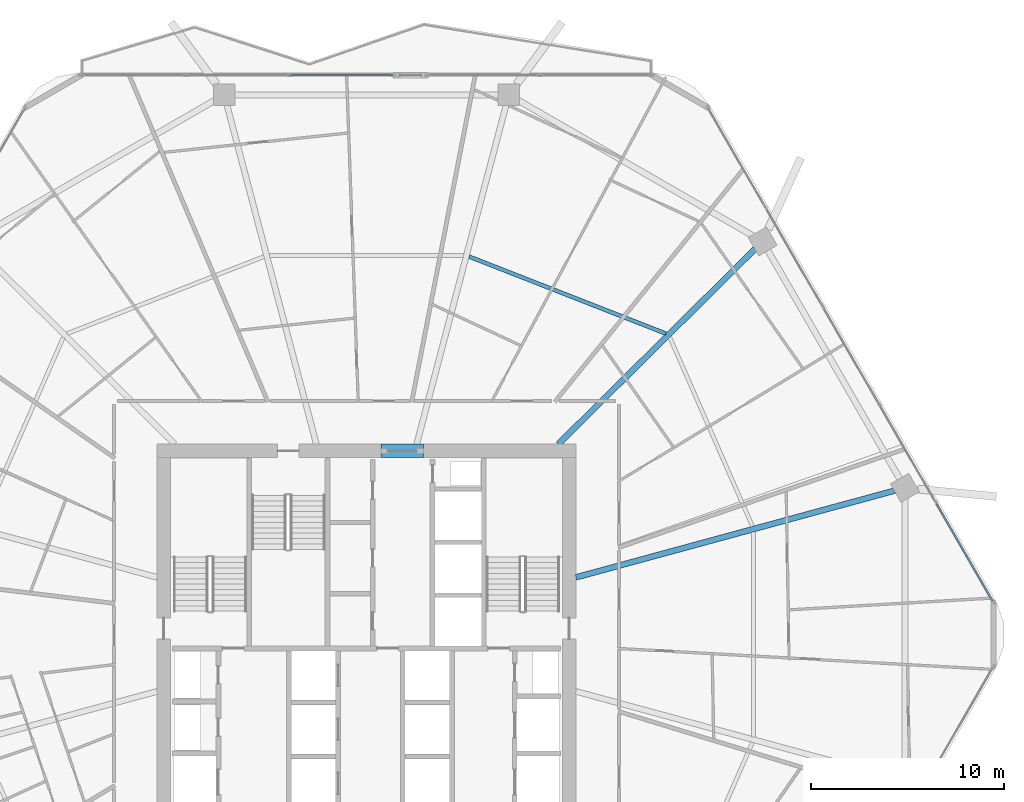
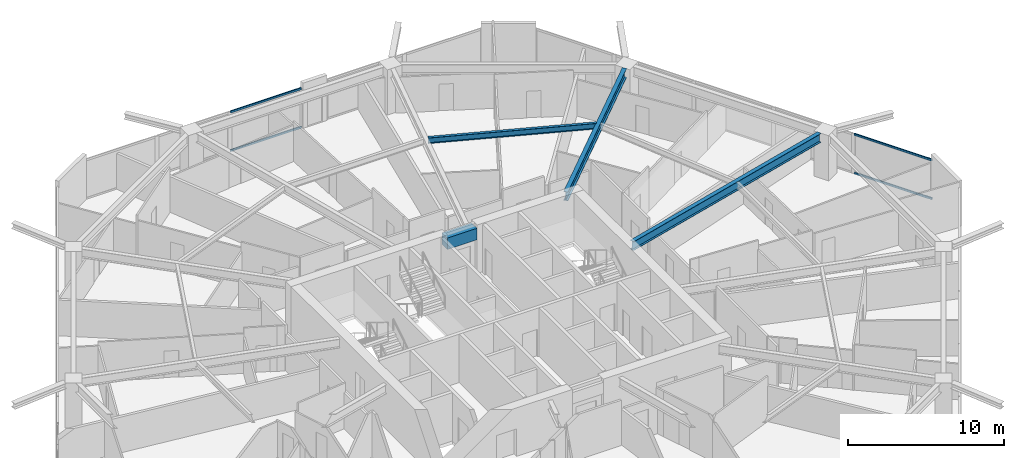
# One storey, part 17 of 33: 4 beams, 4 members, 2 elements without a shape of their own.
"""IFC4 building model written with IfcOpenShell, lengths in metres."""

from ifc_helpers import new_model, si_unit, direction, frame, origin, origin_2d, place, context, subcontext, project, spatial, rectangle, hollow_rectangle, i_section, extrude, material, material_profile, profile_set, type_object, element, aggregate, save


model = new_model("IFC4")

# Units and contexts
model_context = context("Model", 3, precision=1e-05, world=origin(), true_north=direction((0.0, 1.0)))
body_context = subcontext(model_context, "Body", "Model", "MODEL_VIEW")
ifc_project = project(units=[si_unit("LENGTHUNIT", "METRE"), si_unit("AREAUNIT", "SQUARE_METRE"), si_unit("VOLUMEUNIT", "CUBIC_METRE"), si_unit("PLANEANGLEUNIT", "RADIAN"), si_unit("MASSUNIT", "GRAM", prefix="KILO")], contexts=[model_context])

# Site, building, storey
site_placement = place(None, origin())
site = spatial("IfcSite", under=ifc_project, at=site_placement, CompositionType="ELEMENT")
building_placement = place(site_placement, origin())
building = spatial("IfcBuilding", under=site, at=building_placement, Name="Zuhravey Tower", CompositionType="ELEMENT")
storey_placement = place(building_placement, frame((0.0, 0.0, 103.800048828125)))
storey = spatial("IfcBuildingStorey", under=building, at=storey_placement, Name="L25", CompositionType="ELEMENT", Elevation=103.800048828125)

# Beam
ifc_material_1 = material(Name="Concrete C60/75", Category="concrete")
ifc_material_profile_1 = material_profile(ifc_material_1, rectangle(XDim=0.699951171875, YDim=0.89990234375, at=origin_2d()), Name="RC-700x900")
ifc_profile_set_1 = profile_set([ifc_material_profile_1], Name="Concrete C60/75")
beam_type_1 = type_object("IfcBeamType", Name="Core Coupling Beam RC700x900", PredefinedType="LINTEL", material=ifc_profile_set_1)
beam_1_placement = place(storey_placement, frame((36.751953125, 41.5, 3.099853515625), z_axis=(1.0, 0.0, 0.0), x_axis=(0.0, 1.0, 0.0)))
element("IfcBeam", 1, at=beam_1_placement, inside=storey, type_object=beam_type_1, Name="L25 CB1 BM-L25-CB-N", PredefinedType="LINTEL", context=body_context, shape_type="SweptSolid", body=[
    extrude(rectangle(XDim=0.699951171875, YDim=0.89990234375, at=origin_2d()), origin(), (0.0, 0.0, 1.0), 2.196044921875),
])

# Curtain wall, members
ifc_material_2 = material(Name="Thermally broken anodised aluminium", Category="aluminium")
curtain_wall_type = type_object("IfcCurtainWallType", Name="Zone 1-2 Residential Curtain Wall CW3", PredefinedType="NOTDEFINED", material=ifc_material_2)
curtain_wall_1_placement = place(storey_placement, origin())
curtain_wall_1 = element("IfcCurtainWall", 2, at=curtain_wall_1_placement, inside=storey, type_object=curtain_wall_type, Name="L25 CW3 CW-L25-F2-1", PredefinedType="NOTDEFINED")
ifc_material_3 = material(Name="Anodised aluminium", Category="aluminium")
ifc_material_profile_2 = material_profile(ifc_material_3, hollow_rectangle(XDim=0.090087890625, YDim=0.14990234375, WallThickness=0.0048828125, at=origin_2d()), Name="ALU-RHS-90x150x5")
ifc_profile_set_2 = profile_set([ifc_material_profile_2], Name="Anodised aluminium")
member_type = type_object("IfcMemberType", Name="Curtain-Wall Transom 90x150", PredefinedType="USERDEFINED", material=ifc_profile_set_2)
member_1_placement = place(storey_placement, frame((32.0625, 60.95849609375, 0.044921875), z_axis=(1.0, 0.0, 0.0), x_axis=(0.0, 1.0, 0.0)))
member_1 = element("IfcMember", 3, at=member_1_placement, type_object=member_type, Name="CW3 transom 3.1", ObjectType="TRANSOM", PredefinedType="USERDEFINED", context=body_context, shape_type="SweptSolid", body=[
    extrude(hollow_rectangle(XDim=0.090087890625, YDim=0.14990234375, WallThickness=0.0048828125, at=origin_2d()), origin(), (0.0, 0.0, 1.0), 5.2734375),
])
member_2_placement = place(storey_placement, frame((32.0625, 60.95849609375, 3.076904296875), z_axis=(1.0, 0.0, 0.0), x_axis=(0.0, 1.0, 0.0)))
member_2 = element("IfcMember", 4, at=member_2_placement, type_object=member_type, Name="CW3 transom 3.2", ObjectType="TRANSOM", PredefinedType="USERDEFINED", context=body_context, shape_type="SweptSolid", body=[
    extrude(hollow_rectangle(XDim=0.090087890625, YDim=0.14990234375, WallThickness=0.0048828125, at=origin_2d()), origin(), (0.0, 0.0, 1.0), 5.2734375),
])
aggregate(curtain_wall_1, [member_1, member_2])

curtain_wall_2_placement = place(storey_placement, origin())
curtain_wall_2 = element("IfcCurtainWall", 5, at=curtain_wall_2_placement, inside=storey, type_object=curtain_wall_type, Name="L25 CW3 CW-L25-F1-1", PredefinedType="NOTDEFINED")
member_3_placement = place(storey_placement, frame((65.541015625, 38.750244140625, 0.044921875), z_axis=(0.500024450573, -0.866011286779, 0.0), x_axis=(0.866011286779, 0.500024450573, 0.0)))
member_3 = element("IfcMember", 6, at=member_3_placement, type_object=member_type, Name="CW3 transom 5.1", ObjectType="TRANSOM", PredefinedType="USERDEFINED", context=body_context, shape_type="SweptSolid", body=[
    extrude(hollow_rectangle(XDim=0.090087890625, YDim=0.14990234375, WallThickness=0.0048828125, at=origin_2d()), origin(), (0.0, 0.0, 1.0), 5.784912109375),
])
member_4_placement = place(storey_placement, frame((65.541015625, 38.750244140625, 3.076904296875), z_axis=(0.500024450573, -0.866011286779, 0.0), x_axis=(0.866011286779, 0.500024450573, 0.0)))
member_4 = element("IfcMember", 7, at=member_4_placement, type_object=member_type, Name="CW3 transom 5.2", ObjectType="TRANSOM", PredefinedType="USERDEFINED", context=body_context, shape_type="SweptSolid", body=[
    extrude(hollow_rectangle(XDim=0.090087890625, YDim=0.14990234375, WallThickness=0.0048828125, at=origin_2d()), origin(), (0.0, 0.0, 1.0), 5.784912109375),
])
aggregate(curtain_wall_2, [member_3, member_4])

# Beams
ifc_material_4 = material(Name="Steel SM355", Category="steel")
ifc_material_profile_3 = material_profile(ifc_material_4, i_section(OverallWidth=0.300048828125, OverallDepth=0.699951171875, WebThickness=0.012939453125, FlangeThickness=0.02392578125, at=origin_2d()), Name="H-700x300x13x24")
ifc_profile_set_3 = profile_set([ifc_material_profile_3], Name="Steel SM355")
beam_type_2 = type_object("IfcBeamType", Name="Radial Primary Girder H700x300", PredefinedType="BEAM", material=ifc_profile_set_3)
beam_2_placement = place(storey_placement, frame((46.85302734375, 34.954345703125, 3.199951171875), z_axis=(0.964893166225, 0.262642680791, 0.0), x_axis=(-0.262642680791, 0.964893166225, 0.0)))
element("IfcBeam", 8, at=beam_2_placement, inside=storey, type_object=beam_type_2, Name="L25 RG1 BM-L25-RAD-01", PredefinedType="BEAM", context=body_context, shape_type="SweptSolid", body=[
    extrude(i_section(OverallWidth=0.300048828125, OverallDepth=0.699951171875, WebThickness=0.012939453125, FlangeThickness=0.02392578125, at=origin_2d()), origin(), (0.0, 0.0, 1.0), 17.102783203125),
])
beam_3_placement = place(storey_placement, frame((45.931396484375, 41.85302734375, 3.199951171875), z_axis=(0.709906230344, 0.704296204816, 0.0), x_axis=(-0.704296204816, 0.709906230344, 0.0)))
element("IfcBeam", 9, at=beam_3_placement, inside=storey, type_object=beam_type_2, Name="L25 RG1 BM-L25-RAD-02", PredefinedType="BEAM", context=body_context, shape_type="SweptSolid", body=[
    extrude(i_section(OverallWidth=0.300048828125, OverallDepth=0.699951171875, WebThickness=0.012939453125, FlangeThickness=0.02392578125, at=origin_2d()), origin(), (0.0, 0.0, 1.0), 14.361083984375),
])
ifc_material_profile_4 = material_profile(ifc_material_4, i_section(OverallWidth=0.199951171875, OverallDepth=0.449951171875, WebThickness=0.009033203125, FlangeThickness=0.013916015625, at=origin_2d()), Name="H-450x200x9x14")
ifc_profile_set_4 = profile_set([ifc_material_profile_4], Name="Steel SM355")
beam_type_3 = type_object("IfcBeamType", Name="Secondary Floor Joist H450x200", PredefinedType="JOIST", material=ifc_profile_set_4)
beam_4_placement = place(storey_placement, frame((51.50537109375, 47.581298828125, 3.324951171875), z_axis=(-0.931216764731, 0.364465824302, 0.0), x_axis=(-0.364465824302, -0.931216764731, 0.0)))
element("IfcBeam", 10, at=beam_4_placement, inside=storey, type_object=beam_type_3, Name="L25 SJ1 BM-L25-SJ-02-1", PredefinedType="JOIST", context=body_context, shape_type="SweptSolid", body=[
    extrude(i_section(OverallWidth=0.199951171875, OverallDepth=0.449951171875, WebThickness=0.009033203125, FlangeThickness=0.013916015625, at=origin_2d()), origin(), (0.0, 0.0, 1.0), 10.939453125),
])

save(model, "model.ifc")
